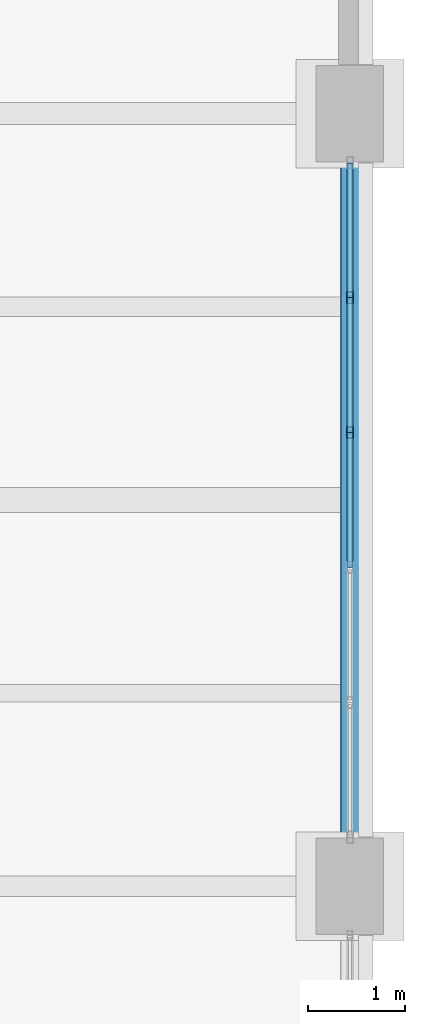
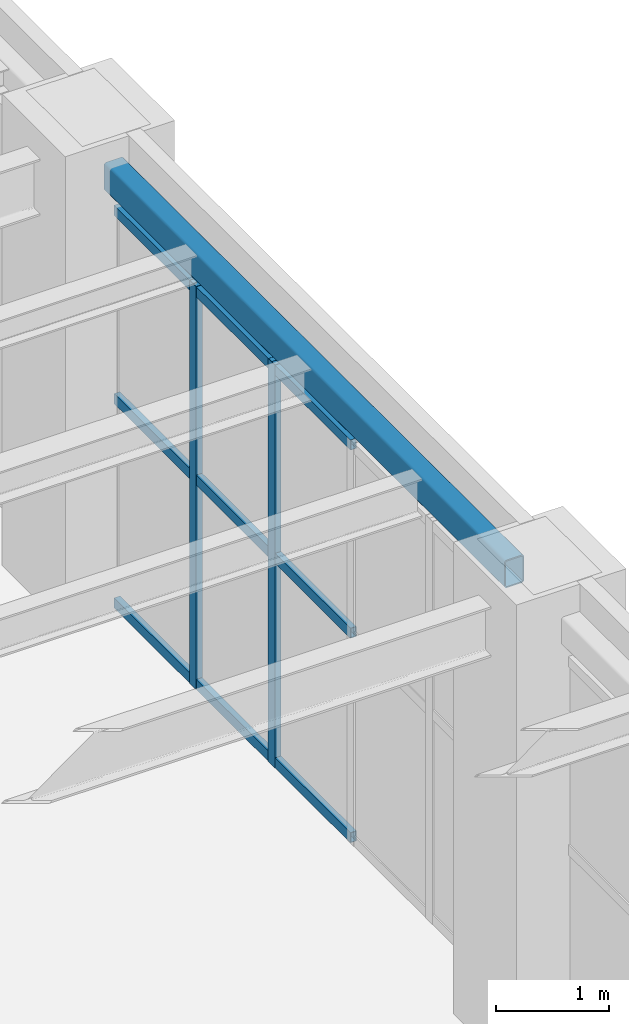
# One storey, part 109 of 174: 11 members, 1 beam, 1 element without a shape of its own.
"""IFC4 building model written with IfcOpenShell, lengths in metres."""

from ifc_helpers import new_model, si_unit, direction, frame, origin, origin_2d, place, context, subcontext, project, spatial, hollow_rectangle, extrude, material, material_profile, profile_set, type_object, element, aggregate, save


model = new_model("IFC4")

# Units and contexts
model_context = context("Model", 3, precision=1e-05, world=origin(), true_north=direction((0.0, 1.0)))
body_context = subcontext(model_context, "Body", "Model", "MODEL_VIEW")
ifc_project = project(units=[si_unit("LENGTHUNIT", "METRE"), si_unit("AREAUNIT", "SQUARE_METRE"), si_unit("VOLUMEUNIT", "CUBIC_METRE"), si_unit("PLANEANGLEUNIT", "RADIAN"), si_unit("MASSUNIT", "GRAM", prefix="KILO")], contexts=[model_context])

# Site, building, storey
site_placement = place(None, origin())
site = spatial("IfcSite", under=ifc_project, at=site_placement, CompositionType="ELEMENT")
building_placement = place(site_placement, origin())
building = spatial("IfcBuilding", under=site, at=building_placement, Name="Mavantir Sound Aquarium", CompositionType="ELEMENT")
storey_placement = place(building_placement, frame((0.0, 0.0, 5.39990234375)))
storey = spatial("IfcBuildingStorey", under=building, at=storey_placement, Name="L01", CompositionType="ELEMENT", Elevation=5.39990234375)

# Beam
ifc_material_1 = material(Name="Hollow Structural Steel ASTM A500 GrC", Category="steel")
ifc_material_profile_1 = material_profile(ifc_material_1, hollow_rectangle(XDim=0.199951171875, YDim=0.300048828125, WallThickness=0.012451171875, InnerFilletRadius=0.012451171875, OuterFilletRadius=0.02490234375, at=origin_2d()), Name="RHS 300X200X12.5")
ifc_profile_set_1 = profile_set([ifc_material_profile_1], Name="Hollow Structural Steel ASTM A500 GrC")
beam_type = type_object("IfcBeamType", Name="BM-RHS300-E", PredefinedType="SPANDREL", material=ifc_profile_set_1)
beam_placement = place(storey_placement, frame((175.199951171875, 49.25, 4.656005859375), z_axis=(0.0, 1.0, 0.0), x_axis=(-1.0, 0.0, 0.0)))
element("IfcBeam", 1, at=beam_placement, inside=storey, type_object=beam_type, Name="L01 primary girder SS-R30 1354", PredefinedType="SPANDREL", context=body_context, shape_type="SweptSolid", body=[
    extrude(hollow_rectangle(XDim=0.199951171875, YDim=0.300048828125, WallThickness=0.012451171875, InnerFilletRadius=0.012451171875, OuterFilletRadius=0.02490234375, at=origin_2d()), origin(), (0.0, 0.0, 1.0), 7.10009765625),
])

# Curtain wall, members
ifc_material_2 = material(Name="Anodised Marine Aluminium and Low-E Glass", Category="aluminium")
curtain_wall_type = type_object("IfcCurtainWallType", Name="CW-T10", PredefinedType="USERDEFINED", material=ifc_material_2)
curtain_wall_placement = place(storey_placement, origin())
curtain_wall = element("IfcCurtainWall", 2, at=curtain_wall_placement, inside=storey, type_object=curtain_wall_type, Name="L01 unitised curtain wall CW-10 106", ObjectType="UNITISED GLAZING", PredefinedType="USERDEFINED")
ifc_material_3 = material(Name="Anodised Marine Aluminium 6063-T6", Category="aluminium")
ifc_material_profile_2 = material_profile(ifc_material_3, hollow_rectangle(XDim=0.06494140625, YDim=0.1201171875, WallThickness=0.00390625, at=origin_2d()), Name="ALU-MULLION-120X65")
ifc_profile_set_2 = profile_set([ifc_material_profile_2], Name="Anodised Marine Aluminium 6063-T6")
member_type_1 = type_object("IfcMemberType", Name="CW-MUL-120", PredefinedType="MULLION", material=ifc_profile_set_2)
member_1_placement = place(storey_placement, frame((175.199951171875, 53.498291015625, 0.0), z_axis=(0.0, 0.0, 1.0), x_axis=(1.0, 0.0, 0.0)))
member_1 = element("IfcMember", 3, at=member_1_placement, type_object=member_type_1, Name="CW-L01-106 vertical mullion 4", PredefinedType="MULLION", context=body_context, shape_type="SweptSolid", body=[
    extrude(hollow_rectangle(XDim=0.06494140625, YDim=0.1201171875, WallThickness=0.00390625, at=origin_2d()), origin(), (0.0, 0.0, 1.0), 4.359130859375),
])
member_2_placement = place(storey_placement, frame((175.199951171875, 54.895263671875, 0.0), z_axis=(0.0, 0.0, 1.0), x_axis=(1.0, 0.0, 0.0)))
member_2 = element("IfcMember", 4, at=member_2_placement, type_object=member_type_1, Name="CW-L01-106 vertical mullion 5", PredefinedType="MULLION", context=body_context, shape_type="SweptSolid", body=[
    extrude(hollow_rectangle(XDim=0.06494140625, YDim=0.1201171875, WallThickness=0.00390625, at=origin_2d()), origin(), (0.0, 0.0, 1.0), 4.359130859375),
])
ifc_material_profile_3 = material_profile(ifc_material_3, hollow_rectangle(XDim=0.06005859375, YDim=0.110107421875, WallThickness=0.00390625, at=origin_2d()), Name="ALU-TRANSOM-110X60")
ifc_profile_set_3 = profile_set([ifc_material_profile_3], Name="Anodised Marine Aluminium 6063-T6")
member_type_2 = type_object("IfcMemberType", Name="CW-TRN-110", PredefinedType="USERDEFINED", material=ifc_profile_set_3)
member_3_placement = place(storey_placement, frame((175.199951171875, 52.1015625, 0.05517578125), z_axis=(0.0, 1.0, 0.0), x_axis=(-1.0, 0.0, 0.0)))
member_3 = element("IfcMember", 5, at=member_3_placement, type_object=member_type_2, Name="CW-L01-106 transom 3.1", ObjectType="TRANSOM", PredefinedType="USERDEFINED", context=body_context, shape_type="SweptSolid", body=[
    extrude(hollow_rectangle(XDim=0.06005859375, YDim=0.110107421875, WallThickness=0.00390625, at=origin_2d()), origin(), (0.0, 0.0, 1.0), 1.396728515625),
])
member_4_placement = place(storey_placement, frame((175.199951171875, 52.1015625, 2.266845703125), z_axis=(0.0, 1.0, 0.0), x_axis=(-1.0, 0.0, 0.0)))
member_4 = element("IfcMember", 6, at=member_4_placement, type_object=member_type_2, Name="CW-L01-106 transom 3.2", ObjectType="TRANSOM", PredefinedType="USERDEFINED", context=body_context, shape_type="SweptSolid", body=[
    extrude(hollow_rectangle(XDim=0.06005859375, YDim=0.110107421875, WallThickness=0.00390625, at=origin_2d()), origin(), (0.0, 0.0, 1.0), 1.396728515625),
])
member_5_placement = place(storey_placement, frame((175.199951171875, 52.1015625, 4.30419921875), z_axis=(0.0, 1.0, 0.0), x_axis=(-1.0, 0.0, 0.0)))
member_5 = element("IfcMember", 7, at=member_5_placement, type_object=member_type_2, Name="CW-L01-106 transom 3.3", ObjectType="TRANSOM", PredefinedType="USERDEFINED", context=body_context, shape_type="SweptSolid", body=[
    extrude(hollow_rectangle(XDim=0.06005859375, YDim=0.110107421875, WallThickness=0.00390625, at=origin_2d()), origin(), (0.0, 0.0, 1.0), 1.396728515625),
])
member_6_placement = place(storey_placement, frame((175.199951171875, 53.498291015625, 0.05517578125), z_axis=(0.0, 1.0, 0.0), x_axis=(-1.0, 0.0, 0.0)))
member_6 = element("IfcMember", 8, at=member_6_placement, type_object=member_type_2, Name="CW-L01-106 transom 4.1", ObjectType="TRANSOM", PredefinedType="USERDEFINED", context=body_context, shape_type="SweptSolid", body=[
    extrude(hollow_rectangle(XDim=0.06005859375, YDim=0.110107421875, WallThickness=0.00390625, at=origin_2d()), origin(), (0.0, 0.0, 1.0), 1.39697265625),
])
member_7_placement = place(storey_placement, frame((175.199951171875, 53.498291015625, 2.266845703125), z_axis=(0.0, 1.0, 0.0), x_axis=(-1.0, 0.0, 0.0)))
member_7 = element("IfcMember", 9, at=member_7_placement, type_object=member_type_2, Name="CW-L01-106 transom 4.2", ObjectType="TRANSOM", PredefinedType="USERDEFINED", context=body_context, shape_type="SweptSolid", body=[
    extrude(hollow_rectangle(XDim=0.06005859375, YDim=0.110107421875, WallThickness=0.00390625, at=origin_2d()), origin(), (0.0, 0.0, 1.0), 1.39697265625),
])
member_8_placement = place(storey_placement, frame((175.199951171875, 53.498291015625, 4.30419921875), z_axis=(0.0, 1.0, 0.0), x_axis=(-1.0, 0.0, 0.0)))
member_8 = element("IfcMember", 10, at=member_8_placement, type_object=member_type_2, Name="CW-L01-106 transom 4.3", ObjectType="TRANSOM", PredefinedType="USERDEFINED", context=body_context, shape_type="SweptSolid", body=[
    extrude(hollow_rectangle(XDim=0.06005859375, YDim=0.110107421875, WallThickness=0.00390625, at=origin_2d()), origin(), (0.0, 0.0, 1.0), 1.39697265625),
])
member_9_placement = place(storey_placement, frame((175.199951171875, 54.895263671875, 0.05517578125), z_axis=(0.0, 1.0, 0.0), x_axis=(-1.0, 0.0, 0.0)))
member_9 = element("IfcMember", 11, at=member_9_placement, type_object=member_type_2, Name="CW-L01-106 transom 5.1", ObjectType="TRANSOM", PredefinedType="USERDEFINED", context=body_context, shape_type="SweptSolid", body=[
    extrude(hollow_rectangle(XDim=0.06005859375, YDim=0.110107421875, WallThickness=0.00390625, at=origin_2d()), origin(), (0.0, 0.0, 1.0), 1.396728515625),
])
member_10_placement = place(storey_placement, frame((175.199951171875, 54.895263671875, 2.266845703125), z_axis=(0.0, 1.0, 0.0), x_axis=(-1.0, 0.0, 0.0)))
member_10 = element("IfcMember", 12, at=member_10_placement, type_object=member_type_2, Name="CW-L01-106 transom 5.2", ObjectType="TRANSOM", PredefinedType="USERDEFINED", context=body_context, shape_type="SweptSolid", body=[
    extrude(hollow_rectangle(XDim=0.06005859375, YDim=0.110107421875, WallThickness=0.00390625, at=origin_2d()), origin(), (0.0, 0.0, 1.0), 1.396728515625),
])
member_11_placement = place(storey_placement, frame((175.199951171875, 54.895263671875, 4.30419921875), z_axis=(0.0, 1.0, 0.0), x_axis=(-1.0, 0.0, 0.0)))
member_11 = element("IfcMember", 13, at=member_11_placement, type_object=member_type_2, Name="CW-L01-106 transom 5.3", ObjectType="TRANSOM", PredefinedType="USERDEFINED", context=body_context, shape_type="SweptSolid", body=[
    extrude(hollow_rectangle(XDim=0.06005859375, YDim=0.110107421875, WallThickness=0.00390625, at=origin_2d()), origin(), (0.0, 0.0, 1.0), 1.396728515625),
])
aggregate(curtain_wall, [member_1, member_2, member_3, member_4, member_5, member_6, member_7, member_8, member_9, member_10, member_11])

save(model, "model.ifc")
